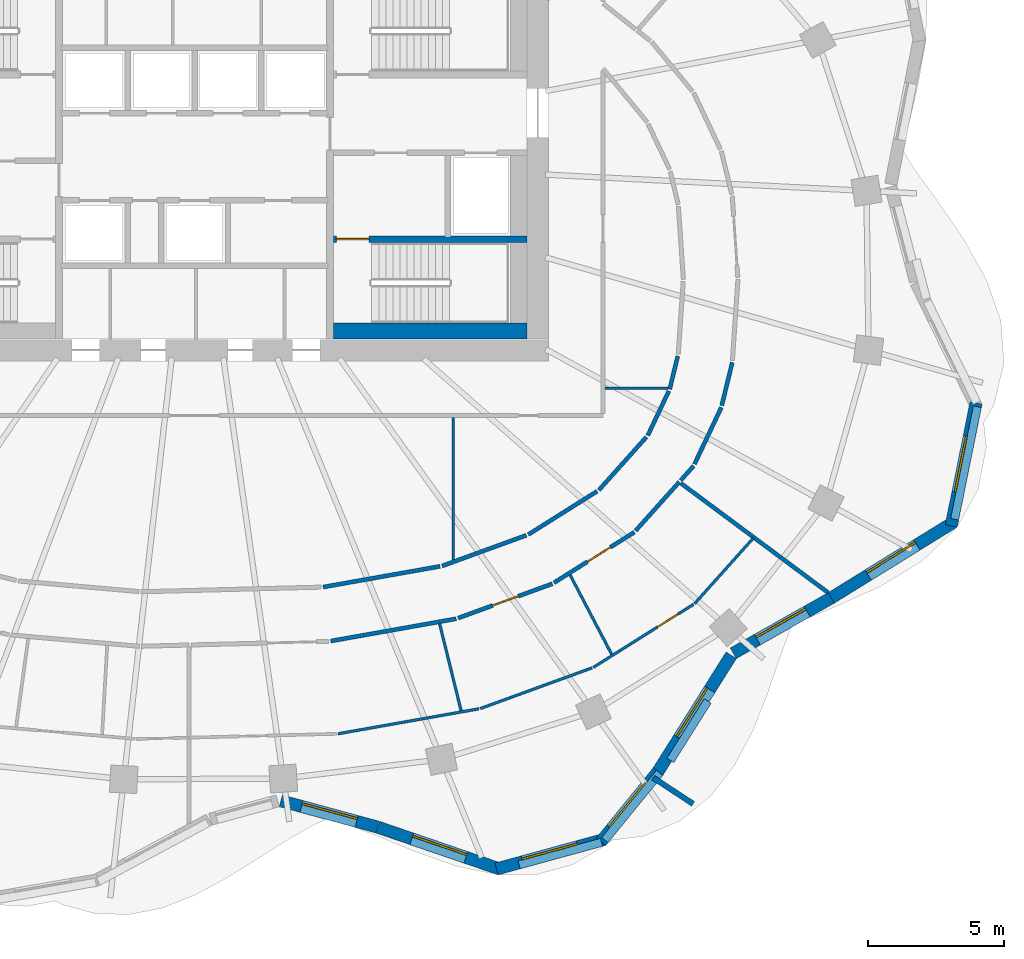
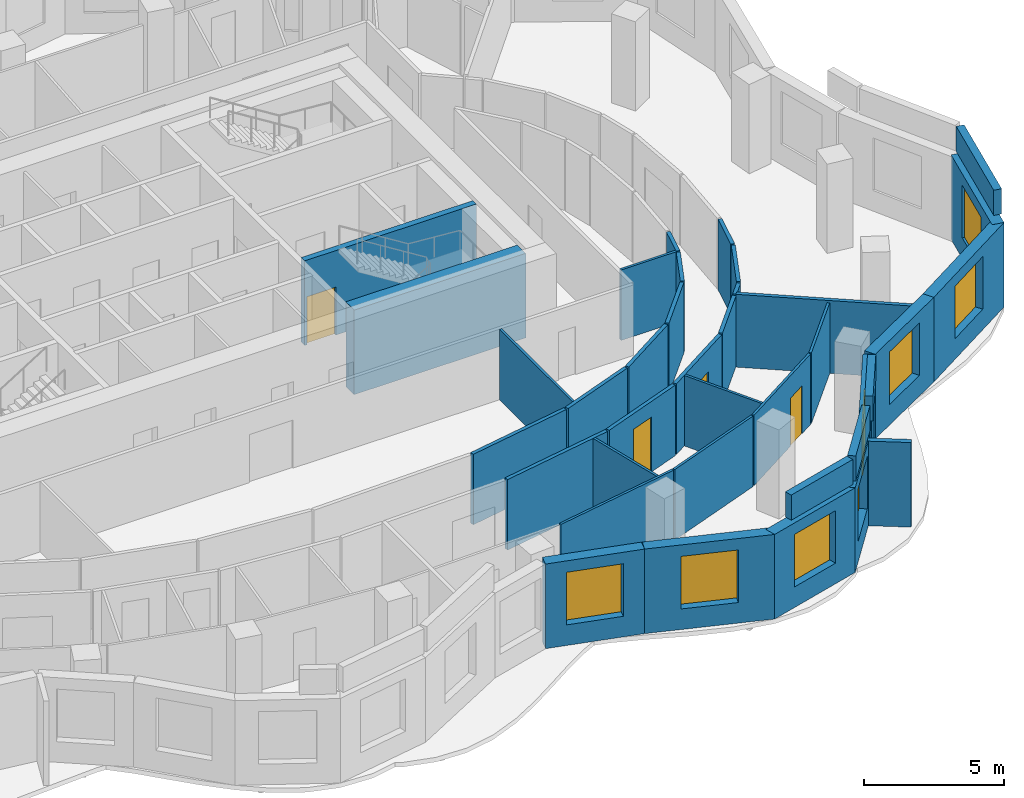
# One storey, part 6 of 11: 37 walls, 8 windows, 4 doors, 12 openings.
"""IFC4 building model written with IfcOpenShell, lengths in metres."""

from ifc_helpers import new_model, si_unit, direction, frame, frame_2d, origin, place, context, subcontext, project, spatial, rectangle, extrude, material, layer, layer_set, type_object, element, fill, save


model = new_model("IFC4")

# Units and contexts
model_context = context("Model", 3, precision=1e-05, world=origin(), true_north=direction((0.0, 1.0)))
body_context = subcontext(model_context, "Body", "Model", "MODEL_VIEW")
ifc_project = project(units=[si_unit("LENGTHUNIT", "METRE"), si_unit("AREAUNIT", "SQUARE_METRE"), si_unit("VOLUMEUNIT", "CUBIC_METRE"), si_unit("PLANEANGLEUNIT", "RADIAN"), si_unit("MASSUNIT", "GRAM", prefix="KILO")], contexts=[model_context])

# Site, building, storey
site_placement = place(None, origin())
site = spatial("IfcSite", under=ifc_project, at=site_placement, CompositionType="ELEMENT")
building_placement = place(site_placement, origin())
building = spatial("IfcBuilding", under=site, at=building_placement, Name="Rubra Terraces Tower", CompositionType="ELEMENT")
storey_placement = place(building_placement, frame((0.0, 0.0, 237.0)))
storey = spatial("IfcBuildingStorey", under=building, at=storey_placement, Name="L58", CompositionType="ELEMENT", Elevation=237.0)

# Wall, opening, window
ifc_material_1 = material(Name="Brick masonry red-brown", Category="masonry")
ifc_layer_1 = layer(ifc_material_1, 0.449951171875)
ifc_layer_set_1 = layer_set([ifc_layer_1], Name="Brick masonry red-brown")
wall_type_1 = type_object("IfcWallType", Name="Brick facade wall 450", PredefinedType="SOLIDWALL", material=ifc_layer_set_1)
wall_1_placement = place(storey_placement, frame((3.164306640625, -19.147216796875, 0.0), z_axis=(0.0, 0.0, 1.0), x_axis=(0.965039479998, -0.262104563191, 0.0)))
wall_1 = element("IfcWall", 1, at=wall_1_placement, inside=storey, type_object=wall_type_1, Name="Facade wall L58 bay 32", PredefinedType="SOLIDWALL", context=body_context, shape_type="SweptSolid", body=[
    extrude(rectangle(XDim=3.671875, YDim=0.449951171875, at=frame_2d((1.8359375, 0.0))), origin(), (0.0, 0.0, 1.0), 3.699951171875),
])
opening_1_placement = place(wall_1_placement, frame((0.785888671875, 0.0, 0.89990234375)))
opening_1 = element("IfcOpeningElement", 2, at=opening_1_placement, cuts=wall_1, Name="Opening W1B", PredefinedType="OPENING", context=body_context, shape_type="SweptSolid", body=[
    extrude(rectangle(XDim=2.10009765625, YDim=2.300048828125, at=frame_2d((1.050048828125, 1.14990234375))), frame((0.0, 0.23486328125, 0.0), z_axis=(0.0, -1.0, 0.0), x_axis=(1.0, 0.0, 0.0)), (0.0, 0.0, 1.0), 0.469970703125),
])
ifc_material_2 = material(Name="Clear glass in aluminium frame", Category="aluminium")
window_type = type_object("IfcWindowType", Name="Fixed deep-set window tall storey 2100 x 2300", PartitioningType="SINGLE_PANEL", PredefinedType="WINDOW", material=ifc_material_2)
window_1_placement = place(opening_1_placement, origin())
window_1 = element("IfcWindow", 3, at=window_1_placement, inside=storey, type_object=window_type, Name="Window L58 bay 32", OverallHeight=2.300048828125, OverallWidth=2.10009765625, PartitioningType="SINGLE_PANEL", PredefinedType="WINDOW", context=body_context, shape_type="SweptSolid", body=[
    extrude(rectangle(XDim=2.10009765625, YDim=2.300048828125, at=frame_2d((1.050048828125, 1.14990234375))), frame((0.0, 0.135009765625, 0.0), z_axis=(0.0, -1.0, 0.0), x_axis=(1.0, 0.0, 0.0)), (0.0, 0.0, 1.0), 0.06005859375),
])
fill(opening_1, window_1)

wall_2_placement = place(storey_placement, frame((6.722900390625, -20.114013671875, 0.0), z_axis=(0.0, 0.0, 1.0), x_axis=(0.945947299026, -0.324320377815, 0.0)))
wall_2 = element("IfcWall", 4, at=wall_2_placement, inside=storey, type_object=wall_type_1, Name="Facade wall L58 bay 33", PredefinedType="SOLIDWALL", context=body_context, shape_type="SweptSolid", body=[
    extrude(rectangle(XDim=4.74462890625, YDim=0.449951171875, at=frame_2d((2.372314453125, 0.0))), origin(), (0.0, 0.0, 1.0), 3.699951171875),
])
opening_2_placement = place(wall_2_placement, frame((1.322265625, 0.0, 0.89990234375)))
opening_2 = element("IfcOpeningElement", 5, at=opening_2_placement, cuts=wall_2, Name="Opening W1B", PredefinedType="OPENING", context=body_context, shape_type="SweptSolid", body=[
    extrude(rectangle(XDim=2.10009765625, YDim=2.300048828125, at=frame_2d((1.050048828125, 1.14990234375))), frame((0.0, 0.23486328125, 0.0), z_axis=(0.0, -1.0, 0.0), x_axis=(1.0, 0.0, 0.0)), (0.0, 0.0, 1.0), 0.469970703125),
])
window_2_placement = place(opening_2_placement, origin())
window_2 = element("IfcWindow", 6, at=window_2_placement, inside=storey, type_object=window_type, Name="Window L58 bay 33", OverallHeight=2.300048828125, OverallWidth=2.10009765625, PartitioningType="SINGLE_PANEL", PredefinedType="WINDOW", context=body_context, shape_type="SweptSolid", body=[
    extrude(rectangle(XDim=2.10009765625, YDim=2.300048828125, at=frame_2d((1.050048828125, 1.14990234375))), frame((0.0, 0.135009765625, 0.0), z_axis=(0.0, -1.0, 0.0), x_axis=(1.0, 0.0, 0.0)), (0.0, 0.0, 1.0), 0.06005859375),
])
fill(opening_2, window_2)

wall_3_placement = place(storey_placement, frame((11.08251953125, -21.64990234375, 0.0), z_axis=(0.0, 0.0, 1.0), x_axis=(0.964483204983, 0.264144179011, 0.0)))
wall_3 = element("IfcWall", 7, at=wall_3_placement, inside=storey, type_object=wall_type_1, Name="Facade wall L58 bay 34", PredefinedType="SOLIDWALL", context=body_context, shape_type="SweptSolid", body=[
    extrude(rectangle(XDim=4.103759765625, YDim=0.449951171875, at=frame_2d((2.0517578125, 0.0))), origin(), (0.0, 0.0, 1.0), 3.699951171875),
])
opening_3_placement = place(wall_3_placement, frame((1.001953125, 0.0, 0.89990234375)))
opening_3 = element("IfcOpeningElement", 8, at=opening_3_placement, cuts=wall_3, Name="Opening W1B", PredefinedType="OPENING", context=body_context, shape_type="SweptSolid", body=[
    extrude(rectangle(XDim=2.10009765625, YDim=2.300048828125, at=frame_2d((1.050048828125, 1.14990234375))), frame((0.0, 0.23486328125, 0.0), z_axis=(0.0, -1.0, 0.0), x_axis=(1.0, 0.0, 0.0)), (0.0, 0.0, 1.0), 0.469970703125),
])
window_3_placement = place(opening_3_placement, origin())
window_3 = element("IfcWindow", 9, at=window_3_placement, inside=storey, type_object=window_type, Name="Window L58 bay 34", OverallHeight=2.300048828125, OverallWidth=2.10009765625, PartitioningType="SINGLE_PANEL", PredefinedType="WINDOW", context=body_context, shape_type="SweptSolid", body=[
    extrude(rectangle(XDim=2.10009765625, YDim=2.300048828125, at=frame_2d((1.050048828125, 1.14990234375))), frame((0.0, 0.135009765625, 0.0), z_axis=(0.0, -1.0, 0.0), x_axis=(1.0, 0.0, 0.0)), (0.0, 0.0, 1.0), 0.06005859375),
])
fill(opening_3, window_3)

wall_4_placement = place(storey_placement, frame((14.925537109375, -20.640869140625, 0.0), z_axis=(0.0, 0.0, 1.0), x_axis=(0.631548074669, 0.775336720001, 0.0)))
wall_4 = element("IfcWall", 10, at=wall_4_placement, inside=storey, type_object=wall_type_1, Name="Facade wall L58 bay 35", PredefinedType="SOLIDWALL", context=body_context, shape_type="SweptSolid", body=[
    extrude(rectangle(XDim=3.3076171875, YDim=0.449951171875, at=frame_2d((1.65380859375, 0.0))), origin(), (0.0, 0.0, 1.0), 3.699951171875),
])
opening_4_placement = place(wall_4_placement, frame((0.603759765625, 0.0, 0.89990234375)))
opening_4 = element("IfcOpeningElement", 11, at=opening_4_placement, cuts=wall_4, Name="Opening W1B", PredefinedType="OPENING", context=body_context, shape_type="SweptSolid", body=[
    extrude(rectangle(XDim=2.10009765625, YDim=2.300048828125, at=frame_2d((1.050048828125, 1.14990234375))), frame((0.0, 0.23486328125, 0.0), z_axis=(0.0, -1.0, 0.0), x_axis=(1.0, 0.0, 0.0)), (0.0, 0.0, 1.0), 0.469970703125),
])
window_4_placement = place(opening_4_placement, origin())
window_4 = element("IfcWindow", 12, at=window_4_placement, inside=storey, type_object=window_type, Name="Window L58 bay 35", OverallHeight=2.300048828125, OverallWidth=2.10009765625, PartitioningType="SINGLE_PANEL", PredefinedType="WINDOW", context=body_context, shape_type="SweptSolid", body=[
    extrude(rectangle(XDim=2.10009765625, YDim=2.300048828125, at=frame_2d((1.050048828125, 1.14990234375))), frame((0.0, 0.135009765625, 0.0), z_axis=(0.0, -1.0, 0.0), x_axis=(1.0, 0.0, 0.0)), (0.0, 0.0, 1.0), 0.06005859375),
])
fill(opening_4, window_4)

wall_5_placement = place(storey_placement, frame((16.998291015625, -18.0986328125, 0.0), z_axis=(0.0, 0.0, 1.0), x_axis=(0.532745661304, 0.846275404559, 0.0)))
wall_5 = element("IfcWall", 13, at=wall_5_placement, inside=storey, type_object=wall_type_1, Name="Facade wall L58 bay 36", PredefinedType="SOLIDWALL", context=body_context, shape_type="SweptSolid", body=[
    extrude(rectangle(XDim=5.076171875, YDim=0.449951171875, at=frame_2d((2.5380859375, 0.0))), origin(), (0.0, 0.0, 1.0), 3.699951171875),
])
opening_5_placement = place(wall_5_placement, frame((1.488037109375, 0.0, 0.89990234375)))
opening_5 = element("IfcOpeningElement", 14, at=opening_5_placement, cuts=wall_5, Name="Opening W1B", PredefinedType="OPENING", context=body_context, shape_type="SweptSolid", body=[
    extrude(rectangle(XDim=2.10009765625, YDim=2.300048828125, at=frame_2d((1.050048828125, 1.14990234375))), frame((0.0, 0.23486328125, 0.0), z_axis=(0.0, -1.0, 0.0), x_axis=(1.0, 0.0, 0.0)), (0.0, 0.0, 1.0), 0.469970703125),
])
window_5_placement = place(opening_5_placement, origin())
window_5 = element("IfcWindow", 15, at=window_5_placement, inside=storey, type_object=window_type, Name="Window L58 bay 36", OverallHeight=2.300048828125, OverallWidth=2.10009765625, PartitioningType="SINGLE_PANEL", PredefinedType="WINDOW", context=body_context, shape_type="SweptSolid", body=[
    extrude(rectangle(XDim=2.10009765625, YDim=2.300048828125, at=frame_2d((1.050048828125, 1.14990234375))), frame((0.0, 0.135009765625, 0.0), z_axis=(0.0, -1.0, 0.0), x_axis=(1.0, 0.0, 0.0)), (0.0, 0.0, 1.0), 0.06005859375),
])
fill(opening_5, window_5)

wall_6_placement = place(storey_placement, frame((19.77587890625, -13.730712890625, 0.0), z_axis=(0.0, 0.0, 1.0), x_axis=(0.870610133829, 0.491973571318, 0.0)))
wall_6 = element("IfcWall", 16, at=wall_6_placement, inside=storey, type_object=wall_type_1, Name="Facade wall L58 bay 37", PredefinedType="SOLIDWALL", context=body_context, shape_type="SweptSolid", body=[
    extrude(rectangle(XDim=4.1337890625, YDim=0.449951171875, at=frame_2d((2.06689453125, 0.0))), origin(), (0.0, 0.0, 1.0), 3.699951171875),
])
opening_6_placement = place(wall_6_placement, frame((1.016845703125, 0.0, 0.89990234375)))
opening_6 = element("IfcOpeningElement", 17, at=opening_6_placement, cuts=wall_6, Name="Opening W1B", PredefinedType="OPENING", context=body_context, shape_type="SweptSolid", body=[
    extrude(rectangle(XDim=2.10009765625, YDim=2.300048828125, at=frame_2d((1.050048828125, 1.14990234375))), frame((0.0, 0.23486328125, 0.0), z_axis=(0.0, -1.0, 0.0), x_axis=(1.0, 0.0, 0.0)), (0.0, 0.0, 1.0), 0.469970703125),
])
window_6_placement = place(opening_6_placement, origin())
window_6 = element("IfcWindow", 18, at=window_6_placement, inside=storey, type_object=window_type, Name="Window L58 bay 37", OverallHeight=2.300048828125, OverallWidth=2.10009765625, PartitioningType="SINGLE_PANEL", PredefinedType="WINDOW", context=body_context, shape_type="SweptSolid", body=[
    extrude(rectangle(XDim=2.10009765625, YDim=2.300048828125, at=frame_2d((1.050048828125, 1.14990234375))), frame((0.0, 0.135009765625, 0.0), z_axis=(0.0, -1.0, 0.0), x_axis=(1.0, 0.0, 0.0)), (0.0, 0.0, 1.0), 0.06005859375),
])
fill(opening_6, window_6)

wall_7_placement = place(storey_placement, frame((23.368408203125, -11.700927734375, 0.0), z_axis=(0.0, 0.0, 1.0), x_axis=(0.850251408633, 0.526376806211, 0.0)))
wall_7 = element("IfcWall", 19, at=wall_7_placement, inside=storey, type_object=wall_type_1, Name="Facade wall L58 bay 38", PredefinedType="SOLIDWALL", context=body_context, shape_type="SweptSolid", body=[
    extrude(rectangle(XDim=5.30224609375, YDim=0.449951171875, at=frame_2d((2.651123046875, 0.0))), origin(), (0.0, 0.0, 1.0), 3.699951171875),
])
opening_7_placement = place(wall_7_placement, frame((1.601318359375, 0.0, 0.89990234375)))
opening_7 = element("IfcOpeningElement", 20, at=opening_7_placement, cuts=wall_7, Name="Opening W1B", PredefinedType="OPENING", context=body_context, shape_type="SweptSolid", body=[
    extrude(rectangle(XDim=2.10009765625, YDim=2.300048828125, at=frame_2d((1.050048828125, 1.14990234375))), frame((0.0, 0.23486328125, 0.0), z_axis=(0.0, -1.0, 0.0), x_axis=(1.0, 0.0, 0.0)), (0.0, 0.0, 1.0), 0.469970703125),
])
window_7_placement = place(opening_7_placement, origin())
window_7 = element("IfcWindow", 21, at=window_7_placement, inside=storey, type_object=window_type, Name="Window L58 bay 38", OverallHeight=2.300048828125, OverallWidth=2.10009765625, PartitioningType="SINGLE_PANEL", PredefinedType="WINDOW", context=body_context, shape_type="SweptSolid", body=[
    extrude(rectangle(XDim=2.10009765625, YDim=2.300048828125, at=frame_2d((1.050048828125, 1.14990234375))), frame((0.0, 0.135009765625, 0.0), z_axis=(0.0, -1.0, 0.0), x_axis=(1.0, 0.0, 0.0)), (0.0, 0.0, 1.0), 0.06005859375),
])
fill(opening_7, window_7)

wall_8_placement = place(storey_placement, frame((27.779541015625, -9.053466796875, 0.0), z_axis=(0.0, 0.0, 1.0), x_axis=(0.197796229105, 0.980243159503, 0.0)))
wall_8 = element("IfcWall", 22, at=wall_8_placement, inside=storey, type_object=wall_type_1, Name="Facade wall L58 bay 39", PredefinedType="SOLIDWALL", context=body_context, shape_type="SweptSolid", body=[
    extrude(rectangle(XDim=4.610107421875, YDim=0.449951171875, at=frame_2d((2.30517578125, 0.0))), origin(), (0.0, 0.0, 1.0), 3.699951171875),
])
opening_8_placement = place(wall_8_placement, frame((1.255126953125, 0.0, 0.89990234375)))
opening_8 = element("IfcOpeningElement", 23, at=opening_8_placement, cuts=wall_8, Name="Opening W1B", PredefinedType="OPENING", context=body_context, shape_type="SweptSolid", body=[
    extrude(rectangle(XDim=2.10009765625, YDim=2.300048828125, at=frame_2d((1.050048828125, 1.14990234375))), frame((0.0, 0.23486328125, 0.0), z_axis=(0.0, -1.0, 0.0), x_axis=(1.0, 0.0, 0.0)), (0.0, 0.0, 1.0), 0.469970703125),
])
window_8_placement = place(opening_8_placement, origin())
window_8 = element("IfcWindow", 24, at=window_8_placement, inside=storey, type_object=window_type, Name="Window L58 bay 39", OverallHeight=2.300048828125, OverallWidth=2.10009765625, PartitioningType="SINGLE_PANEL", PredefinedType="WINDOW", context=body_context, shape_type="SweptSolid", body=[
    extrude(rectangle(XDim=2.10009765625, YDim=2.300048828125, at=frame_2d((1.050048828125, 1.14990234375))), frame((0.0, 0.135009765625, 0.0), z_axis=(0.0, -1.0, 0.0), x_axis=(1.0, 0.0, 0.0)), (0.0, 0.0, 1.0), 0.06005859375),
])
fill(opening_8, window_8)

# Walls
ifc_layer_2 = layer(ifc_material_1, 0.300048828125)
ifc_layer_set_2 = layer_set([ifc_layer_2], Name="Brick masonry red-brown")
wall_type_2 = type_object("IfcWallType", Name="Brick parapet 300", PredefinedType="PARAPET", material=ifc_layer_set_2)
wall_9_placement = place(storey_placement, frame((11.916259765625, -21.49951171875, 3.89990234375), z_axis=(0.0, 0.0, 1.0), x_axis=(0.964473787466, 0.264178563271, 0.0)))
element("IfcWall", 25, at=wall_9_placement, inside=storey, type_object=wall_type_2, Name="Parapet L58 bay 34", PredefinedType="PARAPET", context=body_context, shape_type="SweptSolid", body=[
    extrude(rectangle(XDim=3.1337890625, YDim=0.300048828125, at=frame_2d((1.56689453125, 0.0))), origin(), (0.0, 0.0, 1.0), 1.10009765625),
])
wall_10_placement = place(storey_placement, frame((15.063232421875, -20.590576171875, 3.89990234375), z_axis=(0.0, 0.0, 1.0), x_axis=(0.631539712948, 0.775343530939, 0.0)))
element("IfcWall", 26, at=wall_10_placement, inside=storey, type_object=wall_type_2, Name="Parapet L58 bay 35", PredefinedType="PARAPET", context=body_context, shape_type="SweptSolid", body=[
    extrude(rectangle(XDim=3.181640625, YDim=0.300048828125, at=frame_2d((1.5908203125, 0.0))), origin(), (0.0, 0.0, 1.0), 1.10009765625),
])
wall_11_placement = place(storey_placement, frame((17.4658203125, -17.663818359375, 3.89990234375), z_axis=(0.0, 0.0, 1.0), x_axis=(0.532743008157, 0.846277074758, 0.0)))
element("IfcWall", 27, at=wall_11_placement, inside=storey, type_object=wall_type_2, Name="Parapet L58 bay 36", PredefinedType="PARAPET", context=body_context, shape_type="SweptSolid", body=[
    extrude(rectangle(XDim=2.58056640625, YDim=0.300048828125, at=frame_2d((1.290283203125, 0.0))), origin(), (0.0, 0.0, 1.0), 1.10009765625),
])
wall_12_placement = place(storey_placement, frame((27.90478515625, -8.8115234375, 3.89990234375), z_axis=(0.0, 0.0, 1.0), x_axis=(0.197841673862, 0.980233988435, 0.0)))
element("IfcWall", 28, at=wall_12_placement, inside=storey, type_object=wall_type_2, Name="Parapet L58 bay 39", PredefinedType="PARAPET", context=body_context, shape_type="SweptSolid", body=[
    extrude(rectangle(XDim=4.216552734375, YDim=0.300048828125, at=frame_2d((2.1083984375, 0.0))), origin(), (0.0, 0.0, 1.0), 1.10009765625),
])
ifc_layer_3 = layer(ifc_material_1, 0.199951171875)
ifc_layer_set_3 = layer_set([ifc_layer_3], Name="Brick masonry red-brown")
wall_type_3 = type_object("IfcWallType", Name="Brick wind fin 200", PredefinedType="SOLIDWALL", material=ifc_layer_set_3)
wall_13_placement = place(storey_placement, frame((16.837890625, -18.298095703125, 0.0), z_axis=(0.0, 0.0, 1.0), x_axis=(0.835871900419, -0.548924554097, 0.0)))
element("IfcWall", 29, at=wall_13_placement, inside=storey, type_object=wall_type_3, Name="Wind fin L58 21", PredefinedType="SOLIDWALL", context=body_context, shape_type="SweptSolid", body=[
    extrude(rectangle(XDim=1.750244140625, YDim=0.199951171875, at=frame_2d((0.875, 0.0))), origin(), (0.0, 0.0, 1.0), 3.699951171875),
])
ifc_material_3 = material(Name="Plasterboard on steel stud, mineral wool infill", Category="steel")
ifc_layer_4 = layer(ifc_material_3, 0.14990234375)
ifc_layer_set_4 = layer_set([ifc_layer_4], Name="Plasterboard on steel stud, mineral wool infill")
wall_type_4 = type_object("IfcWallType", Name="CORRIDOR PARTITION 150", PredefinedType="PARTITIONING", material=ifc_layer_set_4)
wall_14_placement = place(storey_placement, frame((4.994873046875, -13.28125, 0.0), z_axis=(0.0, 0.0, 1.0), x_axis=(0.98463411377, 0.174630071865, 0.0)))
element("IfcWall", 30, at=wall_14_placement, inside=storey, type_object=wall_type_4, Name="PARTITION", PredefinedType="PARTITIONING", context=body_context, shape_type="SweptSolid", body=[
    extrude(rectangle(XDim=4.68212890625, YDim=0.14990234375, at=frame_2d((2.341064453125, 0.0))), origin(), (0.0, 0.0, 1.0), 3.083984375),
])

# Wall, opening, door
wall_15_placement = place(storey_placement, frame((9.675537109375, -12.43798828125, 0.0), z_axis=(0.0, 0.0, 1.0), x_axis=(0.939640289748, 0.342163887461, 0.0)))
wall_15 = element("IfcWall", 31, at=wall_15_placement, inside=storey, type_object=wall_type_4, Name="PARTITION", PredefinedType="PARTITIONING", context=body_context, shape_type="SweptSolid", body=[
    extrude(rectangle(XDim=3.6796875, YDim=0.14990234375, at=frame_2d((1.83984375, 0.0))), origin(), (0.0, 0.0, 1.0), 3.083984375),
])
opening_9_placement = place(wall_15_placement, frame((1.34912109375, 0.0, 0.0)))
opening_9 = element("IfcOpeningElement", 32, at=opening_9_placement, cuts=wall_15, Name="Opening 58-109", PredefinedType="OPENING", context=body_context, shape_type="SweptSolid", body=[
    extrude(rectangle(XDim=1.0, YDim=2.39990234375, at=frame_2d((0.5, 1.199951171875))), frame((0.0, 0.0849609375, 0.0), z_axis=(0.0, -1.0, 0.0), x_axis=(1.0, 0.0, 0.0)), (0.0, 0.0, 1.0), 0.169921875),
])
ifc_material_4 = material(Name="Glazed aluminium meeting door leaf", Category="aluminium")
door_type_1 = type_object("IfcDoorType", Name="MEETING ROOM GLAZED DOOR 1000 X 2400", OperationType="SINGLE_SWING_LEFT", PredefinedType="DOOR", material=ifc_material_4)
door_1_placement = place(opening_9_placement, origin())
door_1 = element("IfcDoor", 33, at=door_1_placement, inside=storey, type_object=door_type_1, Name="DOOR 58-109", OperationType="SINGLE_SWING_RIGHT", OverallHeight=2.39990234375, OverallWidth=1.0, PredefinedType="DOOR", context=body_context, shape_type="SweptSolid", body=[
    extrude(rectangle(XDim=1.0, YDim=2.39990234375, at=frame_2d((0.5, 1.199951171875))), frame((0.0, 0.02490234375, 0.0), z_axis=(0.0, -1.0, 0.0), x_axis=(1.0, 0.0, 0.0)), (0.0, 0.0, 1.0), 0.050048828125),
])
fill(opening_9, door_1)

wall_16_placement = place(storey_placement, frame((13.196533203125, -11.138916015625, 0.0), z_axis=(0.0, 0.0, 1.0), x_axis=(0.846390903833, 0.532562144644, 0.0)))
wall_16 = element("IfcWall", 34, at=wall_16_placement, inside=storey, type_object=wall_type_4, Name="PARTITION", PredefinedType="PARTITIONING", context=body_context, shape_type="SweptSolid", body=[
    extrude(rectangle(XDim=3.481201171875, YDim=0.14990234375, at=frame_2d((1.74072265625, 0.0))), origin(), (0.0, 0.0, 1.0), 3.083984375),
])
opening_10_placement = place(wall_16_placement, frame((1.449951171875, 0.0, 0.0)))
opening_10 = element("IfcOpeningElement", 35, at=opening_10_placement, cuts=wall_16, Name="Opening 58-125", PredefinedType="OPENING", context=body_context, shape_type="SweptSolid", body=[
    extrude(rectangle(XDim=1.0, YDim=2.10009765625, at=frame_2d((0.5, 1.050048828125))), frame((0.0, 0.0849609375, 0.0), z_axis=(0.0, -1.0, 0.0), x_axis=(1.0, 0.0, 0.0)), (0.0, 0.0, 1.0), 0.169921875),
])
ifc_material_5 = material(Name="Painted timber door leaf", Category="wood")
door_type_2 = type_object("IfcDoorType", Name="ROOM DOOR 1000 X 2100", OperationType="SINGLE_SWING_LEFT", PredefinedType="DOOR", material=ifc_material_5)
door_2_placement = place(opening_10_placement, origin())
door_2 = element("IfcDoor", 36, at=door_2_placement, inside=storey, type_object=door_type_2, Name="DOOR 58-125", OperationType="SINGLE_SWING_RIGHT", OverallHeight=2.10009765625, OverallWidth=1.0, PredefinedType="DOOR", context=body_context, shape_type="SweptSolid", body=[
    extrude(rectangle(XDim=1.0, YDim=2.10009765625, at=frame_2d((0.5, 1.050048828125))), frame((0.0, 0.02490234375, 0.0), z_axis=(0.0, -1.0, 0.0), x_axis=(1.0, 0.0, 0.0)), (0.0, 0.0, 1.0), 0.050048828125),
])
fill(opening_10, door_2)

# Walls
wall_17_placement = place(storey_placement, frame((16.193115234375, -9.22900390625, 0.0), z_axis=(0.0, 0.0, 1.0), x_axis=(0.666881148698, 0.745164098378, 0.0)))
element("IfcWall", 37, at=wall_17_placement, inside=storey, type_object=wall_type_4, Name="PARTITION", PredefinedType="PARTITIONING", context=body_context, shape_type="SweptSolid", body=[
    extrude(rectangle(XDim=2.398193359375, YDim=0.14990234375, at=frame_2d((1.19921875, 0.0))), origin(), (0.0, 0.0, 1.0), 3.083984375),
])
wall_18_placement = place(storey_placement, frame((17.842529296875, -7.385986328125, 0.0), z_axis=(0.0, 0.0, 1.0), x_axis=(0.66687446058, 0.745170083824, 0.0)))
element("IfcWall", 38, at=wall_18_placement, inside=storey, type_object=wall_type_4, Name="PARTITION", PredefinedType="PARTITIONING", context=body_context, shape_type="SweptSolid", body=[
    extrude(rectangle(XDim=0.71728515625, YDim=0.14990234375, at=frame_2d((0.358642578125, 0.0))), origin(), (0.0, 0.0, 1.0), 3.083984375),
])
wall_19_placement = place(storey_placement, frame((18.35302734375, -6.78369140625, 0.0), z_axis=(0.0, 0.0, 1.0), x_axis=(0.428086344739, 0.903737838894, 0.0)))
element("IfcWall", 39, at=wall_19_placement, inside=storey, type_object=wall_type_4, Name="PARTITION", PredefinedType="PARTITIONING", context=body_context, shape_type="SweptSolid", body=[
    extrude(rectangle(XDim=2.299560546875, YDim=0.14990234375, at=frame_2d((1.14990234375, 0.0))), origin(), (0.0, 0.0, 1.0), 3.083984375),
])
wall_20_placement = place(storey_placement, frame((19.355224609375, -4.6328125, 0.0), z_axis=(0.0, 0.0, 1.0), x_axis=(0.236703930685, 0.971581828359, 0.0)))
element("IfcWall", 40, at=wall_20_placement, inside=storey, type_object=wall_type_4, Name="PARTITION", PredefinedType="PARTITIONING", context=body_context, shape_type="SweptSolid", body=[
    extrude(rectangle(XDim=1.62646484375, YDim=0.14990234375, at=frame_2d((0.813232421875, 0.0))), origin(), (0.0, 0.0, 1.0), 3.083984375),
])
wall_21_placement = place(storey_placement, frame((17.739013671875, -2.818115234375, 0.0), z_axis=(0.0, 0.0, 1.0), x_axis=(-0.236884307907, -0.971537865792, 0.0)))
element("IfcWall", 41, at=wall_21_placement, inside=storey, type_object=wall_type_4, Name="PARTITION", PredefinedType="PARTITIONING", context=body_context, shape_type="SweptSolid", body=[
    extrude(rectangle(XDim=1.251220703125, YDim=0.14990234375, at=frame_2d((0.62548828125, 0.0))), origin(), (0.0, 0.0, 1.0), 3.083984375),
])
wall_22_placement = place(storey_placement, frame((17.410400390625, -4.1015625, 0.0), z_axis=(0.0, 0.0, 1.0), x_axis=(-0.428074720318, -0.903743345107, 0.0)))
element("IfcWall", 42, at=wall_22_placement, inside=storey, type_object=wall_type_4, Name="PARTITION", PredefinedType="PARTITIONING", context=body_context, shape_type="SweptSolid", body=[
    extrude(rectangle(XDim=1.8056640625, YDim=0.14990234375, at=frame_2d((0.90283203125, 0.0))), origin(), (0.0, 0.0, 1.0), 3.083984375),
])
wall_23_placement = place(storey_placement, frame((16.58740234375, -5.789306640625, 0.0), z_axis=(0.0, 0.0, 1.0), x_axis=(-0.666887460656, -0.745158449472, 0.0)))
element("IfcWall", 43, at=wall_23_placement, inside=storey, type_object=wall_type_4, Name="PARTITION", PredefinedType="PARTITIONING", context=body_context, shape_type="SweptSolid", body=[
    extrude(rectangle(XDim=2.6201171875, YDim=0.14990234375, at=frame_2d((1.31005859375, 0.0))), origin(), (0.0, 0.0, 1.0), 3.083984375),
])
wall_24_placement = place(storey_placement, frame((14.776611328125, -7.781494140625, 0.0), z_axis=(0.0, 0.0, 1.0), x_axis=(-0.846359741043, -0.532611667862, 0.0)))
element("IfcWall", 44, at=wall_24_placement, inside=storey, type_object=wall_type_4, Name="PARTITION", PredefinedType="PARTITIONING", context=body_context, shape_type="SweptSolid", body=[
    extrude(rectangle(XDim=2.9873046875, YDim=0.14990234375, at=frame_2d((1.49365234375, 0.0))), origin(), (0.0, 0.0, 1.0), 3.083984375),
])
wall_25_placement = place(storey_placement, frame((12.177734375, -9.398193359375, 0.0), z_axis=(0.0, 0.0, 1.0), x_axis=(-0.939609240084, -0.342249143093, 0.0)))
element("IfcWall", 45, at=wall_25_placement, inside=storey, type_object=wall_type_4, Name="PARTITION", PredefinedType="PARTITIONING", context=body_context, shape_type="SweptSolid", body=[
    extrude(rectangle(XDim=3.2919921875, YDim=0.14990234375, at=frame_2d((1.64599609375, 0.0))), origin(), (0.0, 0.0, 1.0), 3.083984375),
])
wall_26_placement = place(storey_placement, frame((9.010498046875, -10.5380859375, 0.0), z_axis=(0.0, 0.0, 1.0), x_axis=(-0.984645638575, -0.174565077936, 0.0)))
element("IfcWall", 46, at=wall_26_placement, inside=storey, type_object=wall_type_4, Name="PARTITION", PredefinedType="PARTITIONING", context=body_context, shape_type="SweptSolid", body=[
    extrude(rectangle(XDim=4.35791015625, YDim=0.14990234375, at=frame_2d((2.178955078125, 0.0))), origin(), (0.0, 0.0, 1.0), 3.083984375),
])
ifc_material_6 = material(Name="Concrete C40", Category="concrete")
ifc_layer_5 = layer(ifc_material_6, 0.60009765625)
ifc_layer_set_5 = layer_set([ifc_layer_5], Name="Concrete C40")
wall_type_5 = type_object("IfcWallType", Name="Core lining wall 600 concrete", PredefinedType="SOLIDWALL", material=ifc_layer_set_5)
wall_27_placement = place(storey_placement, frame((12.199951171875, -1.89990234375, 0.0), z_axis=(0.0, 0.0, 1.0), x_axis=(-1.0, 0.0, 0.0)))
element("IfcWall", 47, at=wall_27_placement, inside=storey, type_object=wall_type_5, Name="CORE LINING WALL L58", PredefinedType="SOLIDWALL", context=body_context, shape_type="SweptSolid", body=[
    extrude(rectangle(XDim=7.099853515625, YDim=0.60009765625, at=frame_2d((3.5498046875, 0.0))), origin(), (0.0, 0.0, 1.0), 3.699951171875),
])
ifc_material_7 = material(Name="Plasterboard on steel stud", Category="steel")
ifc_layer_6 = layer(ifc_material_7, 0.10009765625)
ifc_layer_set_6 = layer_set([ifc_layer_6], Name="Plasterboard on steel stud")
wall_type_6 = type_object("IfcWallType", Name="ROOM PARTITION 100", PredefinedType="PARTITIONING", material=ifc_layer_set_6)
wall_28_placement = place(storey_placement, frame((20.51953125, -9.492919921875, 0.0), z_axis=(0.0, 0.0, 1.0), x_axis=(-0.666893929929, -0.745152659677, 0.0)))
element("IfcWall", 48, at=wall_28_placement, inside=storey, type_object=wall_type_6, Name="PARTITION", PredefinedType="PARTITIONING", context=body_context, shape_type="SweptSolid", body=[
    extrude(rectangle(XDim=3.2412109375, YDim=0.10009765625, at=frame_2d((1.62060546875, 0.0))), origin(), (0.0, 0.0, 1.0), 3.083984375),
])

# Wall, opening, door
wall_29_placement = place(storey_placement, frame((18.315673828125, -11.934814453125, 0.0), z_axis=(0.0, 0.0, 1.0), x_axis=(-0.84637539713, -0.532586788358, 0.0)))
wall_29 = element("IfcWall", 49, at=wall_29_placement, inside=storey, type_object=wall_type_6, Name="PARTITION", PredefinedType="PARTITIONING", context=body_context, shape_type="SweptSolid", body=[
    extrude(rectangle(XDim=4.34619140625, YDim=0.10009765625, at=frame_2d((2.173095703125, 0.0))), origin(), (0.0, 0.0, 1.0), 3.083984375),
])
opening_11_placement = place(wall_29_placement, frame((0.662109375, 0.0, 0.0)))
opening_11 = element("IfcOpeningElement", 50, at=opening_11_placement, cuts=wall_29, Name="Opening 58-110", PredefinedType="OPENING", context=body_context, shape_type="SweptSolid", body=[
    extrude(rectangle(XDim=0.89990234375, YDim=2.10009765625, at=frame_2d((0.449951171875, 1.050048828125))), frame((0.0, 0.06005859375, 0.0), z_axis=(0.0, -1.0, 0.0), x_axis=(1.0, 0.0, 0.0)), (0.0, 0.0, 1.0), 0.1201171875),
])
door_type_3 = type_object("IfcDoorType", Name="ROOM DOOR 900 X 2100", OperationType="SINGLE_SWING_LEFT", PredefinedType="DOOR", material=ifc_material_5)
door_3_placement = place(opening_11_placement, origin())
door_3 = element("IfcDoor", 51, at=door_3_placement, inside=storey, type_object=door_type_3, Name="DOOR 58-110", OperationType="SINGLE_SWING_LEFT", OverallHeight=2.10009765625, OverallWidth=0.89990234375, PredefinedType="DOOR", context=body_context, shape_type="SweptSolid", body=[
    extrude(rectangle(XDim=0.89990234375, YDim=2.10009765625, at=frame_2d((0.449951171875, 1.050048828125))), frame((0.0, 0.02490234375, 0.0), z_axis=(0.0, -1.0, 0.0), x_axis=(1.0, 0.0, 0.0)), (0.0, 0.0, 1.0), 0.050048828125),
])
fill(opening_11, door_3)

# Walls
wall_30_placement = place(storey_placement, frame((14.590087890625, -14.2666015625, 0.0), z_axis=(0.0, 0.0, 1.0), x_axis=(-0.939623405418, -0.342210251148, 0.0)))
element("IfcWall", 52, at=wall_30_placement, inside=storey, type_object=wall_type_6, Name="PARTITION", PredefinedType="PARTITIONING", context=body_context, shape_type="SweptSolid", body=[
    extrude(rectangle(XDim=4.36328125, YDim=0.10009765625, at=frame_2d((2.181640625, 0.0))), origin(), (0.0, 0.0, 1.0), 3.083984375),
])
wall_31_placement = place(storey_placement, frame((10.441162109375, -15.7685546875, 0.0), z_axis=(0.0, 0.0, 1.0), x_axis=(-0.984642067447, -0.174585219919, 0.0)))
element("IfcWall", 53, at=wall_31_placement, inside=storey, type_object=wall_type_6, Name="PARTITION", PredefinedType="PARTITIONING", context=body_context, shape_type="SweptSolid", body=[
    extrude(rectangle(XDim=5.258056640625, YDim=0.10009765625, at=frame_2d((2.62890625, 0.0))), origin(), (0.0, 0.0, 1.0), 3.083984375),
])
wall_32_placement = place(storey_placement, frame((8.995361328125, -12.647705078125, 0.0), z_axis=(0.0, 0.0, 1.0), x_axis=(0.239839908092, -0.970812452787, 0.0)))
element("IfcWall", 54, at=wall_32_placement, inside=storey, type_object=wall_type_6, Name="PARTITION", PredefinedType="PARTITIONING", context=body_context, shape_type="SweptSolid", body=[
    extrude(rectangle(XDim=3.28271484375, YDim=0.10009765625, at=frame_2d((1.641357421875, 0.0))), origin(), (0.0, 0.0, 1.0), 3.083984375),
])
wall_33_placement = place(storey_placement, frame((13.7861328125, -10.856201171875, 0.0), z_axis=(0.0, 0.0, 1.0), x_axis=(0.464015323866, -0.885827172318, 0.0)))
element("IfcWall", 55, at=wall_33_placement, inside=storey, type_object=wall_type_6, Name="PARTITION", PredefinedType="PARTITIONING", context=body_context, shape_type="SweptSolid", body=[
    extrude(rectangle(XDim=3.285888671875, YDim=0.10009765625, at=frame_2d((1.64306640625, 0.0))), origin(), (0.0, 0.0, 1.0), 3.083984375),
])
wall_34_placement = place(storey_placement, frame((9.5, -10.298583984375, 0.0), z_axis=(0.0, 0.0, 1.0), x_axis=(0.0, 1.0, 0.0)))
element("IfcWall", 56, at=wall_34_placement, inside=storey, type_object=wall_type_6, Name="PARTITION", PredefinedType="PARTITIONING", context=body_context, shape_type="SweptSolid", body=[
    extrude(rectangle(XDim=5.2236328125, YDim=0.10009765625, at=frame_2d((2.61181640625, 0.0))), origin(), (0.0, 0.0, 1.0), 3.083984375),
])
wall_35_placement = place(storey_placement, frame((15.074951171875, -4.0, 0.0), z_axis=(0.0, 0.0, 1.0), x_axis=(1.0, 0.0, 0.0)))
element("IfcWall", 57, at=wall_35_placement, inside=storey, type_object=wall_type_6, Name="PARTITION", PredefinedType="PARTITIONING", context=body_context, shape_type="SweptSolid", body=[
    extrude(rectangle(XDim=2.30078125, YDim=0.10009765625, at=frame_2d((1.150390625, 0.0))), origin(), (0.0, 0.0, 1.0), 3.083984375),
])
ifc_layer_7 = layer(ifc_material_7, 0.14990234375)
ifc_layer_set_7 = layer_set([ifc_layer_7], Name="Plasterboard on steel stud")
wall_type_7 = type_object("IfcWallType", Name="ROOM PARTITION 150", PredefinedType="PARTITIONING", material=ifc_layer_set_7)
wall_36_placement = place(storey_placement, frame((23.256103515625, -11.501220703125, 0.0), z_axis=(0.0, 0.0, 1.0), x_axis=(-0.802690272164, 0.596396115826, 0.0)))
element("IfcWall", 58, at=wall_36_placement, inside=storey, type_object=wall_type_7, Name="PARTITION", PredefinedType="PARTITIONING", context=body_context, shape_type="SweptSolid", body=[
    extrude(rectangle(XDim=6.7314453125, YDim=0.14990234375, at=frame_2d((3.36572265625, 0.0))), origin(), (0.0, 0.0, 1.0), 3.18408203125),
])

# Wall, opening, door
ifc_layer_8 = layer(ifc_material_6, 0.25)
ifc_layer_set_8 = layer_set([ifc_layer_8], Name="Concrete C40")
wall_type_8 = type_object("IfcWallType", Name="Stair enclosure wall 250 concrete", PredefinedType="SOLIDWALL", material=ifc_layer_set_8)
wall_37_placement = place(storey_placement, frame((12.199951171875, 1.47509765625, 0.0), z_axis=(0.0, 0.0, 1.0), x_axis=(-1.0, 0.0, 0.0)))
wall_37 = element("IfcWall", 59, at=wall_37_placement, inside=storey, type_object=wall_type_8, Name="STAIR WALL L58", PredefinedType="SOLIDWALL", context=body_context, shape_type="SweptSolid", body=[
    extrude(rectangle(XDim=7.099853515625, YDim=0.25, at=frame_2d((3.5498046875, 0.0))), origin(), (0.0, 0.0, 1.0), 3.699951171875),
])
opening_12_placement = place(wall_37_placement, frame((5.800048828125, 0.0, 0.0)))
opening_12 = element("IfcOpeningElement", 60, at=opening_12_placement, cuts=wall_37, Name="Opening L58.C10", PredefinedType="OPENING", context=body_context, shape_type="SweptSolid", body=[
    extrude(rectangle(XDim=1.199951171875, YDim=2.10009765625, at=frame_2d((0.60009765625, 1.050048828125))), frame((0.0, 0.135009765625, 0.0), z_axis=(0.0, -1.0, 0.0), x_axis=(1.0, 0.0, 0.0)), (0.0, 0.0, 1.0), 0.27001953125),
])
ifc_material_8 = material(Name="Painted steel", Category="steel")
door_type_4 = type_object("IfcDoorType", Name="Fire door 1200x2100 single", OperationType="NOTDEFINED", PredefinedType="DOOR", material=ifc_material_8)
door_4_placement = place(opening_12_placement, origin())
door_4 = element("IfcDoor", 61, at=door_4_placement, inside=storey, type_object=door_type_4, Name="Stair door S4", OperationType="SINGLE_SWING_RIGHT", OverallHeight=2.10009765625, OverallWidth=1.199951171875, PredefinedType="DOOR", context=body_context, shape_type="SweptSolid", body=[
    extrude(rectangle(XDim=1.199951171875, YDim=2.10009765625, at=frame_2d((0.60009765625, 1.050048828125))), frame((0.0, 0.02490234375, 0.0), z_axis=(0.0, -1.0, 0.0), x_axis=(1.0, 0.0, 0.0)), (0.0, 0.0, 1.0), 0.050048828125),
])
fill(opening_12, door_4)

save(model, "model.ifc")
